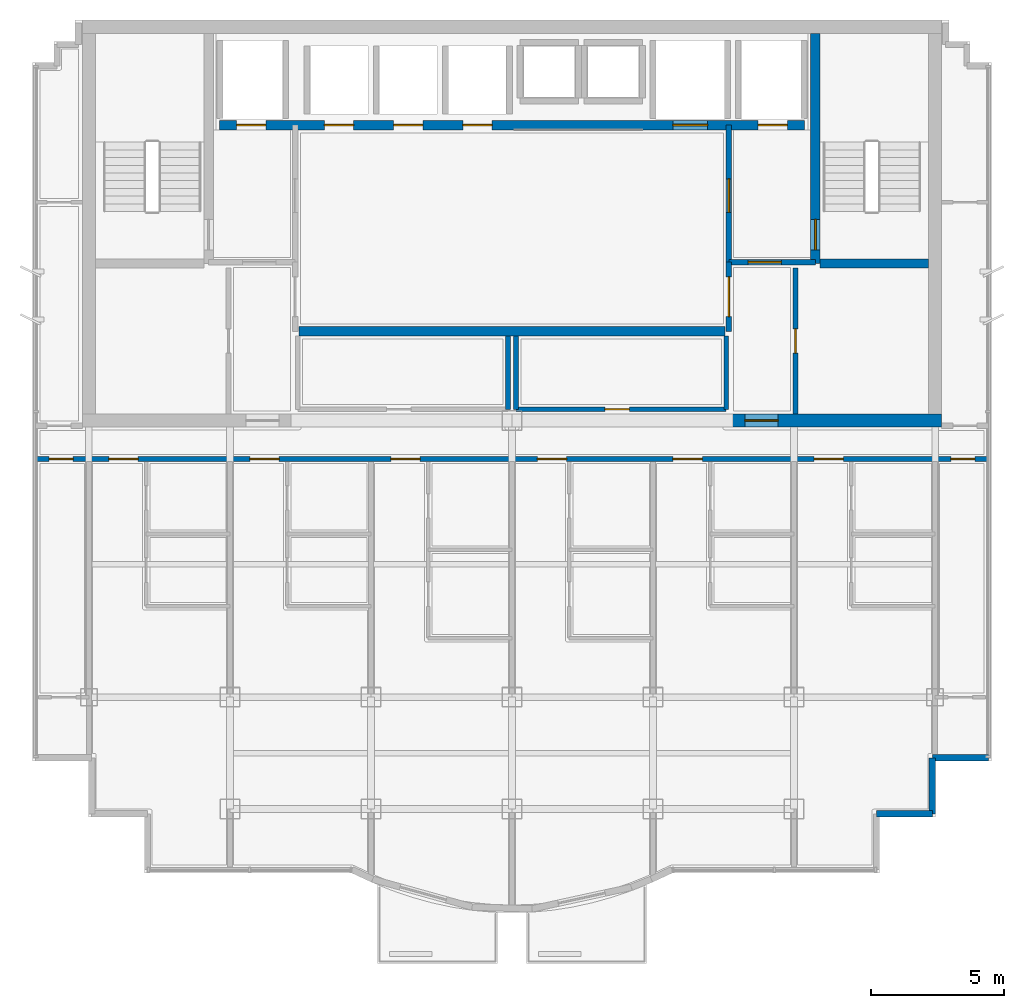
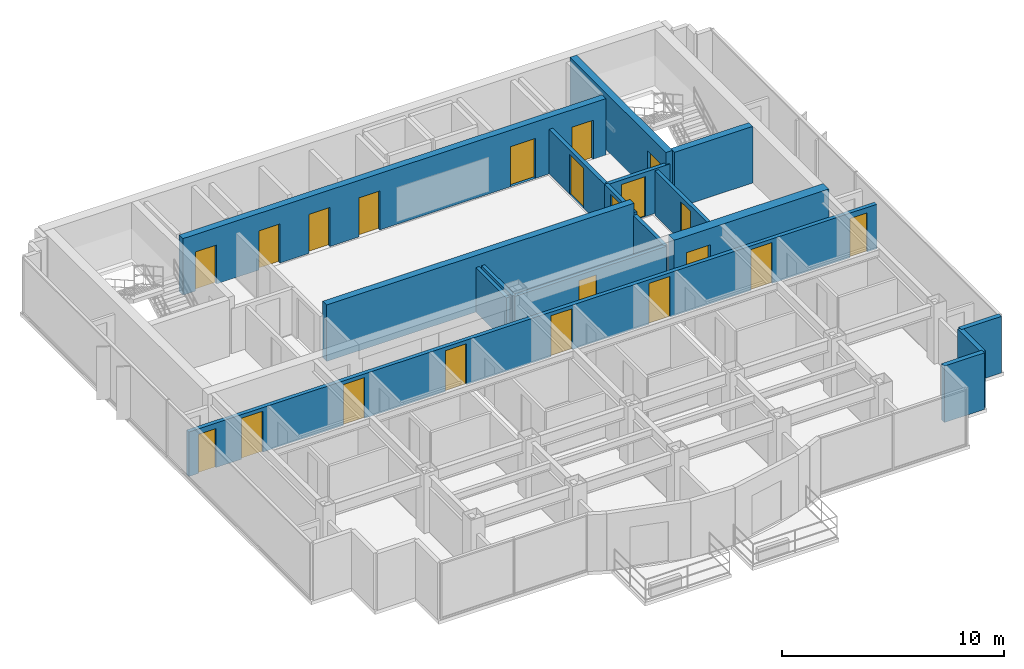
# One storey, part 7 of 10: 21 doors, 17 walls, 21 openings.
"""IFC4 building model written with IfcOpenShell, lengths in metres."""

from ifc_helpers import new_model, si_unit, direction, frame, frame_2d, origin, place, context, subcontext, project, spatial, rectangle, extrude, material, layer, layer_set, type_object, element, fill, save


model = new_model("IFC4")

# Units and contexts
model_context = context("Model", 3, precision=1e-05, world=origin(), true_north=direction((0.0, 1.0)))
body_context = subcontext(model_context, "Body", "Model", "MODEL_VIEW")
ifc_project = project(units=[si_unit("LENGTHUNIT", "METRE"), si_unit("AREAUNIT", "SQUARE_METRE"), si_unit("VOLUMEUNIT", "CUBIC_METRE"), si_unit("PLANEANGLEUNIT", "RADIAN"), si_unit("MASSUNIT", "GRAM", prefix="KILO")], contexts=[model_context])

# Site, building, storey
site_placement = place(None, origin())
site = spatial("IfcSite", under=ifc_project, at=site_placement, CompositionType="ELEMENT")
building_placement = place(site_placement, origin())
building = spatial("IfcBuilding", under=site, at=building_placement, Name="Qianlan Lanfeng Residences", CompositionType="ELEMENT")
storey_placement = place(building_placement, frame((0.0, 0.0, 236.300048828125)))
storey = spatial("IfcBuildingStorey", under=building, at=storey_placement, Name="L65", CompositionType="ELEMENT", Elevation=236.300048828125)

# Wall, opening, door
ifc_material_1 = material(Name="Concrete C49", Category="concrete")
ifc_layer_1 = layer(ifc_material_1, 0.35009765625)
ifc_layer_set_1 = layer_set([ifc_layer_1], Name="Concrete C49")
wall_type_1 = type_object("IfcWallType", Name="CW-RC-350", PredefinedType="SHEAR", material=ifc_layer_set_1)
wall_1_placement = place(storey_placement, frame((37.89990234375, 31.10009765625, 0.0), z_axis=(0.0, 0.0, 1.0), x_axis=(0.0, 1.0, 0.0)))
wall_1 = element("IfcWall", 1, at=wall_1_placement, inside=storey, type_object=wall_type_1, Name="L65 Core Shear Wall ST2W", PredefinedType="SHEAR", context=body_context, shape_type="SweptSolid", body=[
    extrude(rectangle(XDim=8.64990234375, YDim=0.35009765625, at=frame_2d((4.324951171875, 0.0))), origin(), (0.0, 0.0, 1.0), 3.10986328125),
])
opening_1_placement = place(wall_1_placement, frame((0.510009765625, 0.0, 0.0)))
opening_1 = element("IfcOpeningElement", 2, at=opening_1_placement, cuts=wall_1, Name="Opening L65-D08", PredefinedType="OPENING", context=body_context, shape_type="SweptSolid", body=[
    extrude(rectangle(XDim=1.14990234375, YDim=2.199951171875, at=frame_2d((0.574951171875, 1.10009765625))), frame((0.0, 0.18505859375, 0.0), z_axis=(0.0, -1.0, 0.0), x_axis=(1.0, 0.0, 0.0)), (0.0, 0.0, 1.0), 0.3701171875),
])
ifc_material_2 = material(Name="Painted Galvanised Steel Fire Door", Category="steel")
door_type_1 = type_object("IfcDoorType", Name="DT-ST1", OperationType="NOTDEFINED", PredefinedType="DOOR", material=ifc_material_2)
door_1_placement = place(opening_1_placement, origin())
door_1 = element("IfcDoor", 3, at=door_1_placement, inside=storey, type_object=door_type_1, Name="L65 Exit Stair ST-2 Door L65-D08 (DT-ST1)", OperationType="SINGLE_SWING_RIGHT", OverallHeight=2.199951171875, OverallWidth=1.14990234375, PredefinedType="DOOR", context=body_context, shape_type="SweptSolid", body=[
    extrude(rectangle(XDim=1.14990234375, YDim=2.199951171875, at=frame_2d((0.574951171875, 1.10009765625))), frame((0.0, 0.02490234375, 0.0), z_axis=(0.0, -1.0, 0.0), x_axis=(1.0, 0.0, 0.0)), (0.0, 0.0, 1.0), 0.050048828125),
])
fill(opening_1, door_1)

# Wall
wall_2_placement = place(storey_placement, frame((38.074951171875, 31.10009765625, 0.0), z_axis=(0.0, 0.0, 1.0), x_axis=(1.0, 0.0, 0.0)))
element("IfcWall", 4, at=wall_2_placement, inside=storey, type_object=wall_type_1, Name="L65 Core Shear Wall ST2S", PredefinedType="SHEAR", context=body_context, shape_type="SweptSolid", body=[
    extrude(rectangle(XDim=4.074951171875, YDim=0.35009765625, at=frame_2d((2.03759765625, 0.0))), origin(), (0.0, 0.0, 1.0), 3.10986328125),
])

# Wall, openings, doors
wall_3_placement = place(storey_placement, frame((15.5, 36.300048828125, 0.0), z_axis=(0.0, 0.0, 1.0), x_axis=(1.0, 0.0, 0.0)))
wall_3 = element("IfcWall", 5, at=wall_3_placement, inside=storey, type_object=wall_type_1, Name="L65 Core Shear Wall LBN", PredefinedType="SHEAR", context=body_context, shape_type="SweptSolid", body=[
    extrude(rectangle(XDim=22.0, YDim=0.35009765625, at=frame_2d((11.0, 0.0))), origin(), (0.0, 0.0, 1.0), 3.10986328125),
])
opening_2_placement = place(wall_3_placement, frame((0.64990234375, 0.0, 0.0)))
opening_2 = element("IfcOpeningElement", 6, at=opening_2_placement, cuts=wall_3, Name="Opening L65-LD-FFL-1", PredefinedType="OPENING", context=body_context, shape_type="SweptSolid", body=[
    extrude(rectangle(XDim=1.10009765625, YDim=2.14990234375, at=frame_2d((0.550048828125, 1.074951171875))), frame((0.0, 0.18505859375, 0.0), z_axis=(0.0, -1.0, 0.0), x_axis=(1.0, 0.0, 0.0)), (0.0, 0.0, 1.0), 0.3701171875),
])
opening_3_placement = place(wall_3_placement, frame((20.25, 0.0, 0.0)))
opening_3 = element("IfcOpeningElement", 7, at=opening_3_placement, cuts=wall_3, Name="Opening L65-LD-FFL-2", PredefinedType="OPENING", context=body_context, shape_type="SweptSolid", body=[
    extrude(rectangle(XDim=1.10009765625, YDim=2.14990234375, at=frame_2d((0.550048828125, 1.074951171875))), frame((0.0, 0.18505859375, 0.0), z_axis=(0.0, -1.0, 0.0), x_axis=(1.0, 0.0, 0.0)), (0.0, 0.0, 1.0), 0.3701171875),
])
opening_4_placement = place(wall_3_placement, frame((17.050048828125, 0.0, 0.0)))
opening_4 = element("IfcOpeningElement", 8, at=opening_4_placement, cuts=wall_3, Name="Opening L65-LD-SVL-1", PredefinedType="OPENING", context=body_context, shape_type="SweptSolid", body=[
    extrude(rectangle(XDim=1.300048828125, YDim=2.199951171875, at=frame_2d((0.64990234375, 1.10009765625))), frame((0.0, 0.18505859375, 0.0), z_axis=(0.0, -1.0, 0.0), x_axis=(1.0, 0.0, 0.0)), (0.0, 0.0, 1.0), 0.3701171875),
])
opening_5_placement = place(wall_3_placement, frame((3.949951171875, 0.0, 0.0)))
opening_5 = element("IfcOpeningElement", 9, at=opening_5_placement, cuts=wall_3, Name="Opening L65-LD-PL-H1", PredefinedType="OPENING", context=body_context, shape_type="SweptSolid", body=[
    extrude(rectangle(XDim=1.10009765625, YDim=2.14990234375, at=frame_2d((0.550048828125, 1.074951171875))), frame((0.0, 0.18505859375, 0.0), z_axis=(0.0, -1.0, 0.0), x_axis=(1.0, 0.0, 0.0)), (0.0, 0.0, 1.0), 0.3701171875),
])
opening_6_placement = place(wall_3_placement, frame((6.550048828125, 0.0, 0.0)))
opening_6 = element("IfcOpeningElement", 10, at=opening_6_placement, cuts=wall_3, Name="Opening L65-LD-PL-H2", PredefinedType="OPENING", context=body_context, shape_type="SweptSolid", body=[
    extrude(rectangle(XDim=1.10009765625, YDim=2.14990234375, at=frame_2d((0.550048828125, 1.074951171875))), frame((0.0, 0.18505859375, 0.0), z_axis=(0.0, -1.0, 0.0), x_axis=(1.0, 0.0, 0.0)), (0.0, 0.0, 1.0), 0.3701171875),
])
opening_7_placement = place(wall_3_placement, frame((9.14990234375, 0.0, 0.0)))
opening_7 = element("IfcOpeningElement", 11, at=opening_7_placement, cuts=wall_3, Name="Opening L65-LD-PL-H3", PredefinedType="OPENING", context=body_context, shape_type="SweptSolid", body=[
    extrude(rectangle(XDim=1.10009765625, YDim=2.14990234375, at=frame_2d((0.550048828125, 1.074951171875))), frame((0.0, 0.18505859375, 0.0), z_axis=(0.0, -1.0, 0.0), x_axis=(1.0, 0.0, 0.0)), (0.0, 0.0, 1.0), 0.3701171875),
])
ifc_material_3 = material(Name="Brushed Stainless Steel Sliding Lift Door", Category="steel")
door_type_2 = type_object("IfcDoorType", Name="LD-01", OperationType="NOTDEFINED", PredefinedType="DOOR", material=ifc_material_3)
door_2_placement = place(opening_2_placement, frame((1.10009765625, 0.0, 0.0), z_axis=(0.0, 0.0, 1.0), x_axis=(-1.0, 0.0, 0.0)))
door_2 = element("IfcDoor", 12, at=door_2_placement, inside=storey, type_object=door_type_2, Name="L65 Elevator FFL-1 Sliding Landing Door", OperationType="DOUBLE_DOOR_SLIDING", OverallHeight=2.14990234375, OverallWidth=1.10009765625, PredefinedType="DOOR", context=body_context, shape_type="SweptSolid", body=[
    extrude(rectangle(XDim=1.10009765625, YDim=2.14990234375, at=frame_2d((0.550048828125, 1.074951171875))), frame((0.0, 0.02490234375, 0.0), z_axis=(0.0, -1.0, 0.0), x_axis=(1.0, 0.0, 0.0)), (0.0, 0.0, 1.0), 0.050048828125),
])
fill(opening_2, door_2)
door_3_placement = place(opening_3_placement, frame((1.10009765625, 0.0, 0.0), z_axis=(0.0, 0.0, 1.0), x_axis=(-1.0, 0.0, 0.0)))
door_3 = element("IfcDoor", 13, at=door_3_placement, inside=storey, type_object=door_type_2, Name="L65 Elevator FFL-2 Sliding Landing Door", OperationType="DOUBLE_DOOR_SLIDING", OverallHeight=2.14990234375, OverallWidth=1.10009765625, PredefinedType="DOOR", context=body_context, shape_type="SweptSolid", body=[
    extrude(rectangle(XDim=1.10009765625, YDim=2.14990234375, at=frame_2d((0.550048828125, 1.074951171875))), frame((0.0, 0.02490234375, 0.0), z_axis=(0.0, -1.0, 0.0), x_axis=(1.0, 0.0, 0.0)), (0.0, 0.0, 1.0), 0.050048828125),
])
fill(opening_3, door_3)
door_4_placement = place(opening_5_placement, frame((1.10009765625, 0.0, 0.0), z_axis=(0.0, 0.0, 1.0), x_axis=(-1.0, 0.0, 0.0)))
door_4 = element("IfcDoor", 14, at=door_4_placement, inside=storey, type_object=door_type_2, Name="L65 Elevator PL-H1 Sliding Landing Door", OperationType="DOUBLE_DOOR_SLIDING", OverallHeight=2.14990234375, OverallWidth=1.10009765625, PredefinedType="DOOR", context=body_context, shape_type="SweptSolid", body=[
    extrude(rectangle(XDim=1.10009765625, YDim=2.14990234375, at=frame_2d((0.550048828125, 1.074951171875))), frame((0.0, 0.02490234375, 0.0), z_axis=(0.0, -1.0, 0.0), x_axis=(1.0, 0.0, 0.0)), (0.0, 0.0, 1.0), 0.050048828125),
])
fill(opening_5, door_4)
door_5_placement = place(opening_6_placement, frame((1.10009765625, 0.0, 0.0), z_axis=(0.0, 0.0, 1.0), x_axis=(-1.0, 0.0, 0.0)))
door_5 = element("IfcDoor", 15, at=door_5_placement, inside=storey, type_object=door_type_2, Name="L65 Elevator PL-H2 Sliding Landing Door", OperationType="DOUBLE_DOOR_SLIDING", OverallHeight=2.14990234375, OverallWidth=1.10009765625, PredefinedType="DOOR", context=body_context, shape_type="SweptSolid", body=[
    extrude(rectangle(XDim=1.10009765625, YDim=2.14990234375, at=frame_2d((0.550048828125, 1.074951171875))), frame((0.0, 0.02490234375, 0.0), z_axis=(0.0, -1.0, 0.0), x_axis=(1.0, 0.0, 0.0)), (0.0, 0.0, 1.0), 0.050048828125),
])
fill(opening_6, door_5)
door_6_placement = place(opening_7_placement, frame((1.10009765625, 0.0, 0.0), z_axis=(0.0, 0.0, 1.0), x_axis=(-1.0, 0.0, 0.0)))
door_6 = element("IfcDoor", 16, at=door_6_placement, inside=storey, type_object=door_type_2, Name="L65 Elevator PL-H3 Sliding Landing Door", OperationType="DOUBLE_DOOR_SLIDING", OverallHeight=2.14990234375, OverallWidth=1.10009765625, PredefinedType="DOOR", context=body_context, shape_type="SweptSolid", body=[
    extrude(rectangle(XDim=1.10009765625, YDim=2.14990234375, at=frame_2d((0.550048828125, 1.074951171875))), frame((0.0, 0.02490234375, 0.0), z_axis=(0.0, -1.0, 0.0), x_axis=(1.0, 0.0, 0.0)), (0.0, 0.0, 1.0), 0.050048828125),
])
fill(opening_7, door_6)
door_type_3 = type_object("IfcDoorType", Name="LD-02", OperationType="NOTDEFINED", PredefinedType="DOOR", material=ifc_material_3)
door_7_placement = place(opening_4_placement, frame((1.300048828125, 0.0, 0.0), z_axis=(0.0, 0.0, 1.0), x_axis=(-1.0, 0.0, 0.0)))
door_7 = element("IfcDoor", 17, at=door_7_placement, inside=storey, type_object=door_type_3, Name="L65 Elevator SVL-1 Sliding Landing Door", OperationType="DOUBLE_DOOR_SLIDING", OverallHeight=2.199951171875, OverallWidth=1.300048828125, PredefinedType="DOOR", context=body_context, shape_type="SweptSolid", body=[
    extrude(rectangle(XDim=1.300048828125, YDim=2.199951171875, at=frame_2d((0.64990234375, 1.10009765625))), frame((0.0, 0.02490234375, 0.0), z_axis=(0.0, -1.0, 0.0), x_axis=(1.0, 0.0, 0.0)), (0.0, 0.0, 1.0), 0.050048828125),
])
fill(opening_4, door_7)

# Wall
wall_4_placement = place(storey_placement, frame((18.5, 28.550048828125, 0.0), z_axis=(0.0, 0.0, 1.0), x_axis=(1.0, 0.0, 0.0)))
element("IfcWall", 18, at=wall_4_placement, inside=storey, type_object=wall_type_1, Name="L65 Core Shear Wall LBS", PredefinedType="SHEAR", context=body_context, shape_type="SweptSolid", body=[
    extrude(rectangle(XDim=16.0, YDim=0.35009765625, at=frame_2d((8.0, 0.0))), origin(), (0.0, 0.0, 1.0), 3.10986328125),
])

# Wall, opening, door
ifc_material_4 = material(Name="Concrete C70", Category="concrete")
ifc_layer_2 = layer(ifc_material_4, 0.5)
ifc_layer_set_2 = layer_set([ifc_layer_2], Name="Concrete C70")
wall_type_2 = type_object("IfcWallType", Name="CW-RC-500", PredefinedType="SHEAR", material=ifc_layer_set_2)
wall_5_placement = place(storey_placement, frame((34.60009765625, 25.199951171875, 0.0), z_axis=(0.0, 0.0, 1.0), x_axis=(1.0, 0.0, 0.0)))
wall_5 = element("IfcWall", 19, at=wall_5_placement, inside=storey, type_object=wall_type_2, Name="L65 Core Shear Wall SE", PredefinedType="SHEAR", context=body_context, shape_type="SweptSolid", body=[
    extrude(rectangle(XDim=8.0498046875, YDim=0.5, at=frame_2d((4.02490234375, 0.0))), origin(), (0.0, 0.0, 1.0), 3.10986328125),
])
opening_8_placement = place(wall_5_placement, frame((0.64990234375, 0.0, 0.0)))
opening_8 = element("IfcOpeningElement", 20, at=opening_8_placement, cuts=wall_5, Name="Opening L65-D02", PredefinedType="OPENING", context=body_context, shape_type="SweptSolid", body=[
    extrude(rectangle(XDim=1.25, YDim=2.199951171875, at=frame_2d((0.625, 1.10009765625))), frame((0.0, 0.260009765625, 0.0), z_axis=(0.0, -1.0, 0.0), x_axis=(1.0, 0.0, 0.0)), (0.0, 0.0, 1.0), 0.52001953125),
])
door_type_4 = type_object("IfcDoorType", Name="DT-FFL", OperationType="NOTDEFINED", PredefinedType="DOOR", material=ifc_material_2)
door_8_placement = place(opening_8_placement, origin())
door_8 = element("IfcDoor", 21, at=door_8_placement, inside=storey, type_object=door_type_4, Name="L65 East Core Lobby Smoke Door L65-D02 (DT-FFL)", OperationType="SINGLE_SWING_LEFT", OverallHeight=2.199951171875, OverallWidth=1.25, PredefinedType="DOOR", context=body_context, shape_type="SweptSolid", body=[
    extrude(rectangle(XDim=1.25, YDim=2.199951171875, at=frame_2d((0.625, 1.10009765625))), frame((0.0, 0.02490234375, 0.0), z_axis=(0.0, -1.0, 0.0), x_axis=(1.0, 0.0, 0.0)), (0.0, 0.0, 1.0), 0.050048828125),
])
fill(opening_8, door_8)

# Walls
ifc_material_5 = material(Name="Concrete C42", Category="concrete")
ifc_layer_3 = layer(ifc_material_5, 0.239990234375)
ifc_layer_set_3 = layer_set([ifc_layer_3], Name="Concrete C42")
wall_type_3 = type_object("IfcWallType", Name="EW-240", PredefinedType="SOLIDWALL", material=ifc_layer_set_3)
for number, where, z_axis, x_axis, name in (
    (22, (40.199951171875, 10.419921875, 0.0), (0.0, 0.0, 1.0), (1.0, 0.0, 0.0), "L65 Exterior Facade Spandrel Wall 12"),
    (23, (42.300048828125, 10.419921875, 0.0), (0.0, 0.0, 1.0), (0.0, 1.0, 0.0), "L65 Exterior Facade Spandrel Wall 13"),
):
    element("IfcWall", number, at=place(storey_placement, frame(where, z_axis=z_axis, x_axis=x_axis)), inside=storey, type_object=wall_type_3, Name=name, PredefinedType="SOLIDWALL", context=body_context, shape_type="SweptSolid", body=[
        extrude(rectangle(XDim=2.10009765625, YDim=0.239990234375, at=frame_2d((1.050048828125, 0.0))), origin(), (0.0, 0.0, 1.0), 3.10986328125),
    ])
wall_6_placement = place(storey_placement, frame((42.300048828125, 12.52001953125, 0.0), z_axis=(0.0, 0.0, 1.0), x_axis=(1.0, 0.0, 0.0)))
element("IfcWall", 24, at=wall_6_placement, inside=storey, type_object=wall_type_3, Name="L65 Exterior Facade Spandrel Wall 14", PredefinedType="SOLIDWALL", context=body_context, shape_type="SweptSolid", body=[
    extrude(rectangle(XDim=2.099853515625, YDim=0.239990234375, at=frame_2d((1.0498046875, 0.0))), origin(), (0.0, 0.0, 1.0), 3.10986328125),
])

# Wall, opening, door
ifc_material_6 = material(Name="Double-Layer Acoustic Gypsum Stud Wall 180 mm")
ifc_layer_4 = layer(ifc_material_6, 0.179931640625)
ifc_layer_set_4 = layer_set([ifc_layer_4], Name="Double-Layer Acoustic Gypsum Stud Wall 180 mm")
wall_type_4 = type_object("IfcWallType", Name="PW-180", PredefinedType="PARTITIONING", material=ifc_layer_set_4)
wall_7_placement = place(storey_placement, frame((37.14990234375, 25.449951171875, 0.0), z_axis=(0.0, 0.0, 1.0), x_axis=(0.0, 1.0, 0.0)))
wall_7 = element("IfcWall", 25, at=wall_7_placement, inside=storey, type_object=wall_type_4, Name="L65 Core East Service Room Wall", PredefinedType="PARTITIONING", context=body_context, shape_type="SweptSolid", body=[
    extrude(rectangle(XDim=5.47509765625, YDim=0.179931640625, at=frame_2d((2.737548828125, 0.0))), origin(), (0.0, 0.0, 1.0), 2.449951171875),
])
opening_9_placement = place(wall_7_placement, frame((2.277099609375, 0.0, 0.0)))
opening_9 = element("IfcOpeningElement", 26, at=opening_9_placement, cuts=wall_7, Name="Opening L65-D10", PredefinedType="OPENING", context=body_context, shape_type="SweptSolid", body=[
    extrude(rectangle(XDim=0.919921875, YDim=2.14990234375, at=frame_2d((0.4599609375, 1.074951171875))), frame((0.0, 0.10009765625, 0.0), z_axis=(0.0, -1.0, 0.0), x_axis=(1.0, 0.0, 0.0)), (0.0, 0.0, 1.0), 0.199951171875),
])
ifc_material_7 = material(Name="Glazed Timber Kitchen/Study Door", Category="wood")
door_type_5 = type_object("IfcDoorType", Name="DT-INT", OperationType="NOTDEFINED", PredefinedType="DOOR", material=ifc_material_7)
door_9_placement = place(opening_9_placement, origin())
door_9 = element("IfcDoor", 27, at=door_9_placement, inside=storey, type_object=door_type_5, Name="L65 Refuse Recycling Door L65-D10 (DT-INT)", OperationType="SINGLE_SWING_LEFT", OverallHeight=2.14990234375, OverallWidth=0.919921875, PredefinedType="DOOR", context=body_context, shape_type="SweptSolid", body=[
    extrude(rectangle(XDim=0.919921875, YDim=2.14990234375, at=frame_2d((0.4599609375, 1.074951171875))), frame((0.0, 0.02490234375, 0.0), z_axis=(0.0, -1.0, 0.0), x_axis=(1.0, 0.0, 0.0)), (0.0, 0.0, 1.0), 0.050048828125),
])
fill(opening_9, door_9)

# Walls
for number, where, z_axis, x_axis, name in (
    (28, (26.35009765625, 25.6201171875, 0.0), (0.0, 0.0, 1.0), (0.0, 1.0, 0.0), "L65 Reclaimed Low-Bank Room East Wall"),
    (29, (26.64990234375, 25.6201171875, 0.0), (0.0, 0.0, 1.0), (0.0, 1.0, 0.0), "L65 Reclaimed Mid-Bank Room West Wall"),
    (30, (34.550048828125, 25.6201171875, 0.0), (0.0, 0.0, 1.0), (0.0, 1.0, 0.0), "L65 Reclaimed Mid-Bank Room East Wall"),
):
    element("IfcWall", number, at=place(storey_placement, frame(where, z_axis=z_axis, x_axis=x_axis)), inside=storey, type_object=wall_type_4, Name=name, PredefinedType="PARTITIONING", context=body_context, shape_type="SweptSolid", body=[
        extrude(rectangle(XDim=2.7548828125, YDim=0.179931640625, at=frame_2d((1.37744140625, 0.0))), origin(), (0.0, 0.0, 1.0), 2.449951171875),
    ])

# Wall, opening, door
wall_8_placement = place(storey_placement, frame((26.64990234375, 25.6201171875, 0.0), z_axis=(0.0, 0.0, 1.0), x_axis=(1.0, 0.0, 0.0)))
wall_8 = element("IfcWall", 31, at=wall_8_placement, inside=storey, type_object=wall_type_4, Name="L65 Reclaimed Mid-Bank Room South Wall", PredefinedType="PARTITIONING", context=body_context, shape_type="SweptSolid", body=[
    extrude(rectangle(XDim=7.900146484375, YDim=0.179931640625, at=frame_2d((3.9501953125, 0.0))), origin(), (0.0, 0.0, 1.0), 2.449951171875),
])
opening_10_placement = place(wall_8_placement, frame((3.340087890625, 0.0, 0.0)))
opening_10 = element("IfcOpeningElement", 32, at=opening_10_placement, cuts=wall_8, Name="Opening L65-D14", PredefinedType="OPENING", context=body_context, shape_type="SweptSolid", body=[
    extrude(rectangle(XDim=0.919921875, YDim=2.14990234375, at=frame_2d((0.4599609375, 1.074951171875))), frame((0.0, 0.10009765625, 0.0), z_axis=(0.0, -1.0, 0.0), x_axis=(1.0, 0.0, 0.0)), (0.0, 0.0, 1.0), 0.199951171875),
])
door_10_placement = place(opening_10_placement, origin())
door_10 = element("IfcDoor", 33, at=door_10_placement, inside=storey, type_object=door_type_5, Name="L65 Reclaimed Mid-Bank Salon Door L65-D14 (DT-INT)", OperationType="SINGLE_SWING_LEFT", OverallHeight=2.14990234375, OverallWidth=0.919921875, PredefinedType="DOOR", context=body_context, shape_type="SweptSolid", body=[
    extrude(rectangle(XDim=0.919921875, YDim=2.14990234375, at=frame_2d((0.4599609375, 1.074951171875))), frame((0.0, 0.02490234375, 0.0), z_axis=(0.0, -1.0, 0.0), x_axis=(1.0, 0.0, 0.0)), (0.0, 0.0, 1.0), 0.050048828125),
])
fill(opening_10, door_10)

ifc_material_8 = material(Name="Autoclaved Aerated Concrete Blockwork 200 mm", Category="masonry")
ifc_layer_5 = layer(ifc_material_8, 0.199951171875)
ifc_layer_set_5 = layer_set([ifc_layer_5], Name="Autoclaved Aerated Concrete Blockwork 200 mm")
wall_type_5 = type_object("IfcWallType", Name="PW-200", PredefinedType="PARTITIONING", material=ifc_layer_set_5)
wall_9_placement = place(storey_placement, frame((34.64990234375, 31.14990234375, 0.0), z_axis=(0.0, 0.0, 1.0), x_axis=(1.0, 0.0, 0.0)))
wall_9 = element("IfcWall", 34, at=wall_9_placement, inside=storey, type_object=wall_type_5, Name="L65 Firefighting Lobby 2 South Wall", PredefinedType="PARTITIONING", context=body_context, shape_type="SweptSolid", body=[
    extrude(rectangle(XDim=3.25, YDim=0.199951171875, at=frame_2d((1.625, 0.0))), origin(), (0.0, 0.0, 1.0), 2.449951171875),
])
opening_11_placement = place(wall_9_placement, frame((0.72509765625, 0.0, 0.0)))
opening_11 = element("IfcOpeningElement", 35, at=opening_11_placement, cuts=wall_9, Name="Opening L65-D05", PredefinedType="OPENING", context=body_context, shape_type="SweptSolid", body=[
    extrude(rectangle(XDim=1.25, YDim=2.199951171875, at=frame_2d((0.625, 1.10009765625))), frame((0.0, 0.10986328125, 0.0), z_axis=(0.0, -1.0, 0.0), x_axis=(1.0, 0.0, 0.0)), (0.0, 0.0, 1.0), 0.219970703125),
])
door_11_placement = place(opening_11_placement, origin())
door_11 = element("IfcDoor", 36, at=door_11_placement, inside=storey, type_object=door_type_4, Name="L65 Firefighting Lobby 2 Entry Door L65-D05 (DT-FFL)", OperationType="SINGLE_SWING_RIGHT", OverallHeight=2.199951171875, OverallWidth=1.25, PredefinedType="DOOR", context=body_context, shape_type="SweptSolid", body=[
    extrude(rectangle(XDim=1.25, YDim=2.199951171875, at=frame_2d((0.625, 1.10009765625))), frame((0.0, 0.02490234375, 0.0), z_axis=(0.0, -1.0, 0.0), x_axis=(1.0, 0.0, 0.0)), (0.0, 0.0, 1.0), 0.050048828125),
])
fill(opening_11, door_11)

wall_10_placement = place(storey_placement, frame((34.64990234375, 31.14990234375, 0.0), z_axis=(0.0, 0.0, 1.0), x_axis=(0.0, 1.0, 0.0)))
wall_10 = element("IfcWall", 37, at=wall_10_placement, inside=storey, type_object=wall_type_5, Name="L65 Firefighting Lobby 2 West Wall", PredefinedType="PARTITIONING", context=body_context, shape_type="SweptSolid", body=[
    extrude(rectangle(XDim=5.150146484375, YDim=0.199951171875, at=frame_2d((2.5751953125, 0.0))), origin(), (0.0, 0.0, 1.0), 2.449951171875),
])
opening_12_placement = place(wall_10_placement, frame((1.875, 0.0, 0.0)))
opening_12 = element("IfcOpeningElement", 38, at=opening_12_placement, cuts=wall_10, Name="Opening L65-D06", PredefinedType="OPENING", context=body_context, shape_type="SweptSolid", body=[
    extrude(rectangle(XDim=1.25, YDim=2.199951171875, at=frame_2d((0.625, 1.10009765625))), frame((0.0, 0.10986328125, 0.0), z_axis=(0.0, -1.0, 0.0), x_axis=(1.0, 0.0, 0.0)), (0.0, 0.0, 1.0), 0.219970703125),
])
door_12_placement = place(opening_12_placement, origin())
door_12 = element("IfcDoor", 39, at=door_12_placement, inside=storey, type_object=door_type_4, Name="L65 Firefighting Lobby 2 Lift Lobby Door L65-D06 (DT-FFL)", OperationType="SINGLE_SWING_LEFT", OverallHeight=2.199951171875, OverallWidth=1.25, PredefinedType="DOOR", context=body_context, shape_type="SweptSolid", body=[
    extrude(rectangle(XDim=1.25, YDim=2.199951171875, at=frame_2d((0.625, 1.10009765625))), frame((0.0, 0.02490234375, 0.0), z_axis=(0.0, -1.0, 0.0), x_axis=(1.0, 0.0, 0.0)), (0.0, 0.0, 1.0), 0.050048828125),
])
fill(opening_12, door_12)

wall_11_placement = place(storey_placement, frame((34.64990234375, 28.550048828125, 0.0), z_axis=(0.0, 0.0, 1.0), x_axis=(0.0, 1.0, 0.0)))
wall_11 = element("IfcWall", 40, at=wall_11_placement, inside=storey, type_object=wall_type_5, Name="L65 Lift Lobby East Connector Wall", PredefinedType="PARTITIONING", context=body_context, shape_type="SweptSolid", body=[
    extrude(rectangle(XDim=2.599853515625, YDim=0.199951171875, at=frame_2d((1.2998046875, 0.0))), origin(), (0.0, 0.0, 1.0), 2.449951171875),
])
opening_13_placement = place(wall_11_placement, frame((0.550048828125, 0.0, 0.0)))
opening_13 = element("IfcOpeningElement", 41, at=opening_13_placement, cuts=wall_11, Name="Opening L65-D12", PredefinedType="OPENING", context=body_context, shape_type="SweptSolid", body=[
    extrude(rectangle(XDim=1.5, YDim=2.25, at=frame_2d((0.75, 1.125))), frame((0.0, 0.10986328125, 0.0), z_axis=(0.0, -1.0, 0.0), x_axis=(1.0, 0.0, 0.0)), (0.0, 0.0, 1.0), 0.219970703125),
])
ifc_material_9 = material(Name="Timber Veneer Acoustic Fire Door", Category="wood")
door_type_6 = type_object("IfcDoorType", Name="DT-COR1", OperationType="NOTDEFINED", PredefinedType="DOOR", material=ifc_material_9)
door_13_placement = place(opening_13_placement, frame((1.5, 0.0, 0.0), z_axis=(0.0, 0.0, 1.0), x_axis=(-1.0, 0.0, 0.0)))
door_13 = element("IfcDoor", 42, at=door_13_placement, inside=storey, type_object=door_type_6, Name="L65 Lift Lobby East Portal Door L65-D12 (DT-COR1)", OperationType="DOUBLE_DOOR_SINGLE_SWING", OverallHeight=2.25, OverallWidth=1.5, PredefinedType="DOOR", context=body_context, shape_type="SweptSolid", body=[
    extrude(rectangle(XDim=1.5, YDim=2.25, at=frame_2d((0.75, 1.125))), frame((0.0, 0.02490234375, 0.0), z_axis=(0.0, -1.0, 0.0), x_axis=(1.0, 0.0, 0.0)), (0.0, 0.0, 1.0), 0.050048828125),
])
fill(opening_13, door_13)

# Wall, openings, doors
wall_12_placement = place(storey_placement, frame((8.60009765625, 23.75, 0.0), z_axis=(0.0, 0.0, 1.0), x_axis=(1.0, 0.0, 0.0)))
wall_12 = element("IfcWall", 43, at=wall_12_placement, inside=storey, type_object=wall_type_5, Name="L65 Residential Corridor South Fire Wall", PredefinedType="PARTITIONING", context=body_context, shape_type="SweptSolid", body=[
    extrude(rectangle(XDim=35.7998046875, YDim=0.199951171875, at=frame_2d((17.89990234375, 0.0))), origin(), (0.0, 0.0, 1.0), 2.449951171875),
])
opening_14_placement = place(wall_12_placement, frame((2.75, 0.0, 0.0)))
opening_14 = element("IfcOpeningElement", 44, at=opening_14_placement, cuts=wall_12, Name="Opening L65-D15", PredefinedType="OPENING", context=body_context, shape_type="SweptSolid", body=[
    extrude(rectangle(XDim=1.10009765625, YDim=2.25, at=frame_2d((0.550048828125, 1.125))), frame((0.0, 0.10986328125, 0.0), z_axis=(0.0, -1.0, 0.0), x_axis=(1.0, 0.0, 0.0)), (0.0, 0.0, 1.0), 0.219970703125),
])
opening_15_placement = place(wall_12_placement, frame((8.050048828125, 0.0, 0.0)))
opening_15 = element("IfcOpeningElement", 45, at=opening_15_placement, cuts=wall_12, Name="Opening L65-D18", PredefinedType="OPENING", context=body_context, shape_type="SweptSolid", body=[
    extrude(rectangle(XDim=1.10009765625, YDim=2.25, at=frame_2d((0.550048828125, 1.125))), frame((0.0, 0.10986328125, 0.0), z_axis=(0.0, -1.0, 0.0), x_axis=(1.0, 0.0, 0.0)), (0.0, 0.0, 1.0), 0.219970703125),
])
opening_16_placement = place(wall_12_placement, frame((13.35009765625, 0.0, 0.0)))
opening_16 = element("IfcOpeningElement", 46, at=opening_16_placement, cuts=wall_12, Name="Opening L65-D21", PredefinedType="OPENING", context=body_context, shape_type="SweptSolid", body=[
    extrude(rectangle(XDim=1.10009765625, YDim=2.25, at=frame_2d((0.550048828125, 1.125))), frame((0.0, 0.10986328125, 0.0), z_axis=(0.0, -1.0, 0.0), x_axis=(1.0, 0.0, 0.0)), (0.0, 0.0, 1.0), 0.219970703125),
])
opening_17_placement = place(wall_12_placement, frame((18.85009765625, 0.0, 0.0)))
opening_17 = element("IfcOpeningElement", 47, at=opening_17_placement, cuts=wall_12, Name="Opening L65-D24", PredefinedType="OPENING", context=body_context, shape_type="SweptSolid", body=[
    extrude(rectangle(XDim=1.10009765625, YDim=2.25, at=frame_2d((0.550048828125, 1.125))), frame((0.0, 0.10986328125, 0.0), z_axis=(0.0, -1.0, 0.0), x_axis=(1.0, 0.0, 0.0)), (0.0, 0.0, 1.0), 0.219970703125),
])
opening_18_placement = place(wall_12_placement, frame((23.949951171875, 0.0, 0.0)))
opening_18 = element("IfcOpeningElement", 48, at=opening_18_placement, cuts=wall_12, Name="Opening L65-D27", PredefinedType="OPENING", context=body_context, shape_type="SweptSolid", body=[
    extrude(rectangle(XDim=1.10009765625, YDim=2.25, at=frame_2d((0.550048828125, 1.125))), frame((0.0, 0.10986328125, 0.0), z_axis=(0.0, -1.0, 0.0), x_axis=(1.0, 0.0, 0.0)), (0.0, 0.0, 1.0), 0.219970703125),
])
opening_19_placement = place(wall_12_placement, frame((29.25, 0.0, 0.0)))
opening_19 = element("IfcOpeningElement", 49, at=opening_19_placement, cuts=wall_12, Name="Opening L65-D30", PredefinedType="OPENING", context=body_context, shape_type="SweptSolid", body=[
    extrude(rectangle(XDim=1.10009765625, YDim=2.25, at=frame_2d((0.550048828125, 1.125))), frame((0.0, 0.10986328125, 0.0), z_axis=(0.0, -1.0, 0.0), x_axis=(1.0, 0.0, 0.0)), (0.0, 0.0, 1.0), 0.219970703125),
])
opening_20_placement = place(wall_12_placement, frame((0.5048828125, 0.0, 0.0)))
opening_20 = element("IfcOpeningElement", 50, at=opening_20_placement, cuts=wall_12, Name="Opening L65-D34", PredefinedType="OPENING", context=body_context, shape_type="SweptSolid", body=[
    extrude(rectangle(XDim=0.89990234375, YDim=2.14990234375, at=frame_2d((0.449951171875, 1.074951171875))), frame((0.0, 0.10986328125, 0.0), z_axis=(0.0, -1.0, 0.0), x_axis=(1.0, 0.0, 0.0)), (0.0, 0.0, 1.0), 0.219970703125),
])
opening_21_placement = place(wall_12_placement, frame((34.39501953125, 0.0, 0.0)))
opening_21 = element("IfcOpeningElement", 51, at=opening_21_placement, cuts=wall_12, Name="Opening L65-D36", PredefinedType="OPENING", context=body_context, shape_type="SweptSolid", body=[
    extrude(rectangle(XDim=0.89990234375, YDim=2.14990234375, at=frame_2d((0.449951171875, 1.074951171875))), frame((0.0, 0.10986328125, 0.0), z_axis=(0.0, -1.0, 0.0), x_axis=(1.0, 0.0, 0.0)), (0.0, 0.0, 1.0), 0.219970703125),
])
ifc_material_10 = material(Name="Solid-Core Oak Veneer Fire Door")
door_type_7 = type_object("IfcDoorType", Name="DT-UNIT", OperationType="NOTDEFINED", PredefinedType="DOOR", material=ifc_material_10)
door_14_placement = place(opening_14_placement, frame((1.10009765625, 0.0, 0.0), z_axis=(0.0, 0.0, 1.0), x_axis=(-1.0, 0.0, 0.0)))
door_14 = element("IfcDoor", 52, at=door_14_placement, inside=storey, type_object=door_type_7, Name="L65 Apartment U01 Entrance Door L65-D15 (DT-UNIT)", OperationType="SINGLE_SWING_RIGHT", OverallHeight=2.25, OverallWidth=1.10009765625, PredefinedType="DOOR", context=body_context, shape_type="SweptSolid", body=[
    extrude(rectangle(XDim=1.10009765625, YDim=2.25, at=frame_2d((0.550048828125, 1.125))), frame((0.0, 0.02490234375, 0.0), z_axis=(0.0, -1.0, 0.0), x_axis=(1.0, 0.0, 0.0)), (0.0, 0.0, 1.0), 0.050048828125),
])
fill(opening_14, door_14)
door_15_placement = place(opening_15_placement, frame((1.10009765625, 0.0, 0.0), z_axis=(0.0, 0.0, 1.0), x_axis=(-1.0, 0.0, 0.0)))
door_15 = element("IfcDoor", 53, at=door_15_placement, inside=storey, type_object=door_type_7, Name="L65 Apartment U02 Entrance Door L65-D18 (DT-UNIT)", OperationType="SINGLE_SWING_RIGHT", OverallHeight=2.25, OverallWidth=1.10009765625, PredefinedType="DOOR", context=body_context, shape_type="SweptSolid", body=[
    extrude(rectangle(XDim=1.10009765625, YDim=2.25, at=frame_2d((0.550048828125, 1.125))), frame((0.0, 0.02490234375, 0.0), z_axis=(0.0, -1.0, 0.0), x_axis=(1.0, 0.0, 0.0)), (0.0, 0.0, 1.0), 0.050048828125),
])
fill(opening_15, door_15)
door_16_placement = place(opening_16_placement, origin())
door_16 = element("IfcDoor", 54, at=door_16_placement, inside=storey, type_object=door_type_7, Name="L65 Apartment U03 Entrance Door L65-D21 (DT-UNIT)", OperationType="SINGLE_SWING_RIGHT", OverallHeight=2.25, OverallWidth=1.10009765625, PredefinedType="DOOR", context=body_context, shape_type="SweptSolid", body=[
    extrude(rectangle(XDim=1.10009765625, YDim=2.25, at=frame_2d((0.550048828125, 1.125))), frame((0.0, 0.02490234375, 0.0), z_axis=(0.0, -1.0, 0.0), x_axis=(1.0, 0.0, 0.0)), (0.0, 0.0, 1.0), 0.050048828125),
])
fill(opening_16, door_16)
door_17_placement = place(opening_17_placement, origin())
door_17 = element("IfcDoor", 55, at=door_17_placement, inside=storey, type_object=door_type_7, Name="L65 Apartment U04 Entrance Door L65-D24 (DT-UNIT)", OperationType="SINGLE_SWING_LEFT", OverallHeight=2.25, OverallWidth=1.10009765625, PredefinedType="DOOR", context=body_context, shape_type="SweptSolid", body=[
    extrude(rectangle(XDim=1.10009765625, YDim=2.25, at=frame_2d((0.550048828125, 1.125))), frame((0.0, 0.02490234375, 0.0), z_axis=(0.0, -1.0, 0.0), x_axis=(1.0, 0.0, 0.0)), (0.0, 0.0, 1.0), 0.050048828125),
])
fill(opening_17, door_17)
door_18_placement = place(opening_18_placement, origin())
door_18 = element("IfcDoor", 56, at=door_18_placement, inside=storey, type_object=door_type_7, Name="L65 Apartment U05 Entrance Door L65-D27 (DT-UNIT)", OperationType="SINGLE_SWING_RIGHT", OverallHeight=2.25, OverallWidth=1.10009765625, PredefinedType="DOOR", context=body_context, shape_type="SweptSolid", body=[
    extrude(rectangle(XDim=1.10009765625, YDim=2.25, at=frame_2d((0.550048828125, 1.125))), frame((0.0, 0.02490234375, 0.0), z_axis=(0.0, -1.0, 0.0), x_axis=(1.0, 0.0, 0.0)), (0.0, 0.0, 1.0), 0.050048828125),
])
fill(opening_18, door_18)
door_19_placement = place(opening_19_placement, frame((1.10009765625, 0.0, 0.0), z_axis=(0.0, 0.0, 1.0), x_axis=(-1.0, 0.0, 0.0)))
door_19 = element("IfcDoor", 57, at=door_19_placement, inside=storey, type_object=door_type_7, Name="L65 Apartment U06 Entrance Door L65-D30 (DT-UNIT)", OperationType="SINGLE_SWING_RIGHT", OverallHeight=2.25, OverallWidth=1.10009765625, PredefinedType="DOOR", context=body_context, shape_type="SweptSolid", body=[
    extrude(rectangle(XDim=1.10009765625, YDim=2.25, at=frame_2d((0.550048828125, 1.125))), frame((0.0, 0.02490234375, 0.0), z_axis=(0.0, -1.0, 0.0), x_axis=(1.0, 0.0, 0.0)), (0.0, 0.0, 1.0), 0.050048828125),
])
fill(opening_19, door_19)
ifc_material_11 = material(Name="Moisture-Resistant Timber Leaf", Category="wood")
door_type_8 = type_object("IfcDoorType", Name="DT-WC", OperationType="NOTDEFINED", PredefinedType="DOOR", material=ifc_material_11)
door_20_placement = place(opening_20_placement, frame((0.89990234375, 0.0, 0.0), z_axis=(0.0, 0.0, 1.0), x_axis=(-1.0, 0.0, 0.0)))
door_20 = element("IfcDoor", 58, at=door_20_placement, inside=storey, type_object=door_type_8, Name="L65 SWP Corridor Door L65-D34 (DT-WC)", OperationType="SINGLE_SWING_LEFT", OverallHeight=2.14990234375, OverallWidth=0.89990234375, PredefinedType="DOOR", context=body_context, shape_type="SweptSolid", body=[
    extrude(rectangle(XDim=0.89990234375, YDim=2.14990234375, at=frame_2d((0.449951171875, 1.074951171875))), frame((0.0, 0.02490234375, 0.0), z_axis=(0.0, -1.0, 0.0), x_axis=(1.0, 0.0, 0.0)), (0.0, 0.0, 1.0), 0.050048828125),
])
fill(opening_20, door_20)
door_21_placement = place(opening_21_placement, frame((0.89990234375, 0.0, 0.0), z_axis=(0.0, 0.0, 1.0), x_axis=(-1.0, 0.0, 0.0)))
door_21 = element("IfcDoor", 59, at=door_21_placement, inside=storey, type_object=door_type_8, Name="L65 SEP Corridor Door L65-D36 (DT-WC)", OperationType="SINGLE_SWING_RIGHT", OverallHeight=2.14990234375, OverallWidth=0.89990234375, PredefinedType="DOOR", context=body_context, shape_type="SweptSolid", body=[
    extrude(rectangle(XDim=0.89990234375, YDim=2.14990234375, at=frame_2d((0.449951171875, 1.074951171875))), frame((0.0, 0.02490234375, 0.0), z_axis=(0.0, -1.0, 0.0), x_axis=(1.0, 0.0, 0.0)), (0.0, 0.0, 1.0), 0.050048828125),
])
fill(opening_21, door_21)

save(model, "model.ifc")
